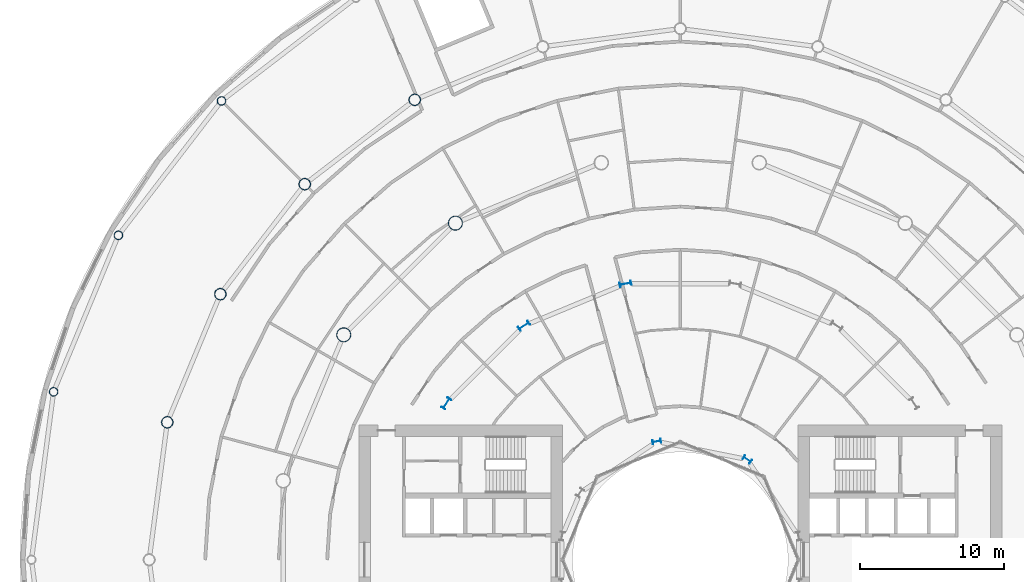
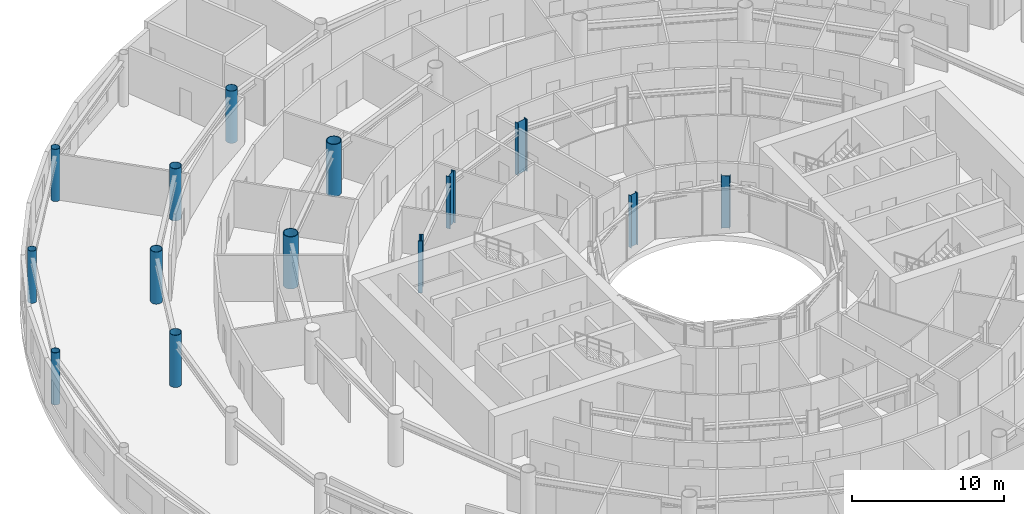
# One storey, part 4 of 29: 14 columns.
"""IFC4 building model written with IfcOpenShell, lengths in metres."""

from ifc_helpers import new_model, si_unit, direction, frame, origin, origin_2d, place, context, subcontext, project, spatial, hollow_circle, i_section, extrude, material, material_profile, profile_set, type_object, element, save


model = new_model("IFC4")

# Units and contexts
model_context = context("Model", 3, precision=1e-05, world=origin(), true_north=direction((0.0, 1.0)))
body_context = subcontext(model_context, "Body", "Model", "MODEL_VIEW")
ifc_project = project(units=[si_unit("LENGTHUNIT", "METRE"), si_unit("AREAUNIT", "SQUARE_METRE"), si_unit("VOLUMEUNIT", "CUBIC_METRE"), si_unit("PLANEANGLEUNIT", "RADIAN"), si_unit("MASSUNIT", "GRAM", prefix="KILO")], contexts=[model_context])

# Site, building, storey
site_placement = place(None, origin())
site = spatial("IfcSite", under=ifc_project, at=site_placement, CompositionType="ELEMENT")
building_placement = place(site_placement, origin())
building = spatial("IfcBuilding", under=site, at=building_placement, Name="Maasbend Ring Residences", CompositionType="ELEMENT")
storey_placement = place(building_placement, frame((0.0, 0.0, 5.39990234375)))
storey = spatial("IfcBuildingStorey", under=building, at=storey_placement, Name="L01", CompositionType="ELEMENT", Elevation=5.39990234375)

# Columns
ifc_material_1 = material(Name="Composite concrete-filled steel tube S460NH / C80/95", Category="concrete")
ifc_material_profile_1 = material_profile(ifc_material_1, hollow_circle(Radius=0.508056640625, WallThickness=0.050048828125, at=origin_2d()), Name="Composite tube column CHS 1016x50")
ifc_profile_set_1 = profile_set([ifc_material_profile_1], Name="Composite concrete-filled steel tube S460NH / C80/95")
column_type_1 = type_object("IfcColumnType", Name="Composite tube column CHS 1016x50", PredefinedType="COLUMN", material=ifc_profile_set_1)
for number, where, z_axis, x_axis, name in (
    (1, (-15.6669921875, 23.447509765625, 0.0), (0.0, 0.0, 1.0), (1.0, 0.0, 0.0), "Outer column R6"),
    (2, (-23.447509765625, 15.6669921875, 0.0), (0.0, 0.0, 1.0), (1.0, 0.0, 0.0), "Outer column R7"),
):
    element("IfcColumn", number, at=place(storey_placement, frame(where, z_axis=z_axis, x_axis=x_axis)), inside=storey, type_object=column_type_1, Name=name, PredefinedType="COLUMN", context=body_context, shape_type="SweptSolid", body=[
        extrude(hollow_circle(Radius=0.508056640625, WallThickness=0.050048828125, at=origin_2d()), origin(), (0.0, 0.0, 1.0), 4.2001953125),
    ])
ifc_material_2 = material(Name="Composite concrete-filled steel tube S460NH / C80/95", Category="concrete")
ifc_material_profile_2 = material_profile(ifc_material_2, hollow_circle(Radius=0.304931640625, WallThickness=0.02490234375, at=origin_2d()), Name="Composite tube column CHS 610x25")
ifc_profile_set_2 = profile_set([ifc_material_profile_2], Name="Composite concrete-filled steel tube S460NH / C80/95")
column_type_2 = type_object("IfcColumnType", Name="Composite tube column CHS 610x25", PredefinedType="COLUMN", material=ifc_profile_set_2)
for number, where, z_axis, x_axis, name in (
    (3, (-31.961181640625, 31.961181640625, 0.0), (0.0, 0.0, 1.0), (1.0, 0.0, 0.0), "Deck edge column B10"),
    (4, (-39.144287109375, 22.60009765625, 0.0), (0.0, 0.0, 1.0), (1.0, 0.0, 0.0), "Deck edge column B11"),
    (5, (-43.659912109375, 11.698486328125, 0.0), (0.0, 0.0, 1.0), (1.0, 0.0, 0.0), "Deck edge column B12"),
):
    element("IfcColumn", number, at=place(storey_placement, frame(where, z_axis=z_axis, x_axis=x_axis)), inside=storey, type_object=column_type_2, Name=name, PredefinedType="COLUMN", context=body_context, shape_type="SweptSolid", body=[
        extrude(hollow_circle(Radius=0.304931640625, WallThickness=0.02490234375, at=origin_2d()), origin(), (0.0, 0.0, 1.0), 4.2001953125),
    ])
ifc_material_3 = material(Name="Composite concrete-filled steel tube S460NH / C80/95", Category="concrete")
ifc_material_profile_3 = material_profile(ifc_material_3, hollow_circle(Radius=0.406494140625, WallThickness=0.030029296875, at=origin_2d()), Name="Composite tube column CHS 813x30")
ifc_profile_set_3 = profile_set([ifc_material_profile_3], Name="Composite concrete-filled steel tube S460NH / C80/95")
column_type_3 = type_object("IfcColumnType", Name="Composite tube column CHS 813x30", PredefinedType="COLUMN", material=ifc_profile_set_3)
for number, where, z_axis, x_axis, name in (
    (6, (-18.5, 32.04296875, 0.0), (0.0, 0.0, 1.0), (1.0, 0.0, 0.0), "Podium column B09"),
    (7, (-26.1630859375, 26.1630859375, 0.0), (0.0, 0.0, 1.0), (1.0, 0.0, 0.0), "Podium column B10"),
    (8, (-32.04296875, 18.5, 0.0), (0.0, 0.0, 1.0), (1.0, 0.0, 0.0), "Podium column B11"),
    (9, (-35.7392578125, 9.576416015625, 0.0), (0.0, 0.0, 1.0), (1.0, 0.0, 0.0), "Podium column B12"),
):
    element("IfcColumn", number, at=place(storey_placement, frame(where, z_axis=z_axis, x_axis=x_axis)), inside=storey, type_object=column_type_3, Name=name, PredefinedType="COLUMN", context=body_context, shape_type="SweptSolid", body=[
        extrude(hollow_circle(Radius=0.406494140625, WallThickness=0.030029296875, at=origin_2d()), origin(), (0.0, 0.0, 1.0), 4.2001953125),
    ])
ifc_material_4 = material(Name="Steel S460M", Category="steel")
ifc_material_profile_4 = material_profile(ifc_material_4, i_section(OverallWidth=0.300048828125, OverallDepth=0.60009765625, WebThickness=0.015380859375, FlangeThickness=0.030029296875, FilletRadius=0.027099609375, at=origin_2d()), Name="HEB 600")
ifc_profile_set_4 = profile_set([ifc_material_profile_4], Name="Steel S460M")
column_type_4 = type_object("IfcColumnType", Name="Steel column HEB 600", PredefinedType="COLUMN", material=ifc_profile_set_4)
for number, where, z_axis, x_axis, name in (
    (10, (4.666748046875, 6.984375, 0.0), (0.0, 0.0, 1.0), (0.55557023302, 0.831469612303, 0.0), "Well ring column R3"),
    (11, (-1.638916015625, 8.238525390625, 0.0), (0.0, 0.0, 1.0), (-0.195090322016, 0.980785280403, 0.0), "Well ring column R5"),
):
    element("IfcColumn", number, at=place(storey_placement, frame(where, z_axis=z_axis, x_axis=x_axis)), inside=storey, type_object=column_type_4, Name=name, PredefinedType="COLUMN", context=body_context, shape_type="SweptSolid", body=[
        extrude(i_section(OverallWidth=0.300048828125, OverallDepth=0.60009765625, WebThickness=0.015380859375, FlangeThickness=0.030029296875, FilletRadius=0.027099609375, at=origin_2d()), origin(), (0.0, 0.0, 1.0), 4.2001953125),
    ])
ifc_material_5 = material(Name="Steel S460M", Category="steel")
ifc_material_profile_5 = material_profile(ifc_material_5, i_section(OverallWidth=0.302978515625, OverallDepth=0.81396484375, WebThickness=0.02099609375, FlangeThickness=0.0400390625, FilletRadius=0.030029296875, at=origin_2d()), Name="HEM 800")
ifc_profile_set_5 = profile_set([ifc_material_profile_5], Name="Steel S460M")
column_type_5 = type_object("IfcColumnType", Name="Steel column HEM 800", PredefinedType="COLUMN", material=ifc_profile_set_5)
for number, where, z_axis, x_axis, name in (
    (12, (-3.82373046875, 19.223388671875, 0.0), (0.0, 0.0, 1.0), (-0.195090322016, 0.980785280403, 0.0), "Corridor ring column R5"),
    (13, (-10.88916015625, 16.296875, 0.0), (0.0, 0.0, 1.0), (-0.55557023302, 0.831469612303, 0.0), "Corridor ring column R6"),
    (14, (-16.296875, 10.88916015625, 0.0), (0.0, 0.0, 1.0), (-0.831469612303, 0.55557023302, 0.0), "Corridor ring column R7"),
):
    element("IfcColumn", number, at=place(storey_placement, frame(where, z_axis=z_axis, x_axis=x_axis)), inside=storey, type_object=column_type_5, Name=name, PredefinedType="COLUMN", context=body_context, shape_type="SweptSolid", body=[
        extrude(i_section(OverallWidth=0.302978515625, OverallDepth=0.81396484375, WebThickness=0.02099609375, FlangeThickness=0.0400390625, FilletRadius=0.030029296875, at=origin_2d()), origin(), (0.0, 0.0, 1.0), 4.2001953125),
    ])

save(model, "model.ifc")
